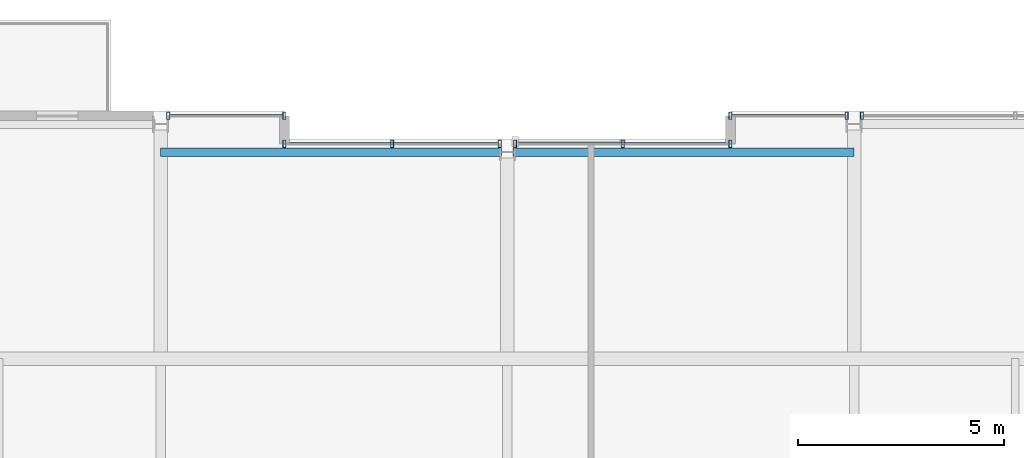
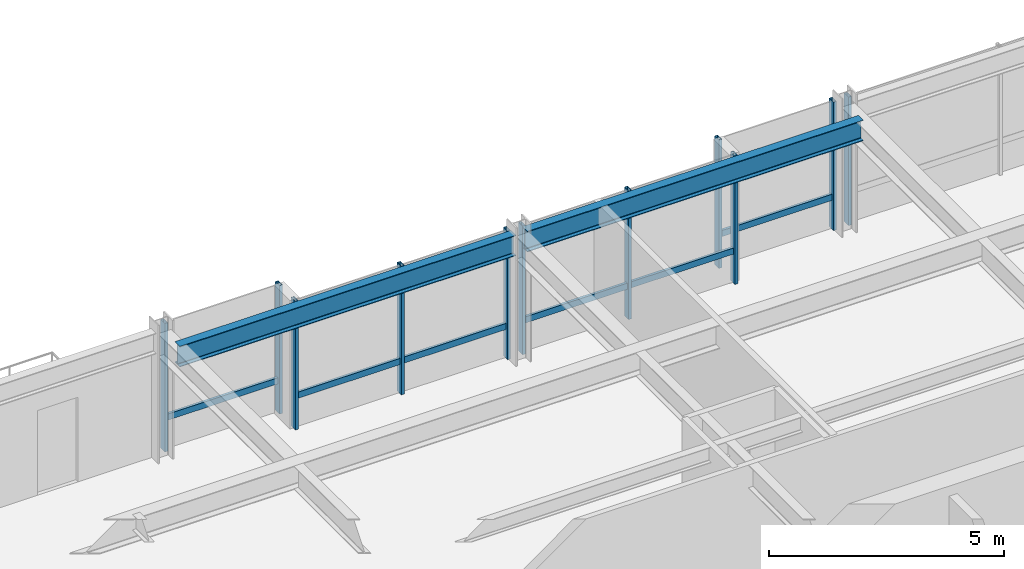
# One storey, part 20 of 31: 15 members, 2 beams, 5 elements without a shape of their own.
"""IFC4 building model written with IfcOpenShell, lengths in metres."""

from ifc_helpers import new_model, si_unit, direction, frame, origin, origin_2d, place, context, subcontext, project, spatial, hollow_rectangle, i_section, extrude, material, layer, layer_set, material_profile, profile_set, type_object, element, aggregate, save


model = new_model("IFC4")

# Units and contexts
model_context = context("Model", 3, precision=1e-05, world=origin(), true_north=direction((0.0, 1.0)))
body_context = subcontext(model_context, "Body", "Model", "MODEL_VIEW")
ifc_project = project(units=[si_unit("LENGTHUNIT", "METRE"), si_unit("AREAUNIT", "SQUARE_METRE"), si_unit("VOLUMEUNIT", "CUBIC_METRE"), si_unit("PLANEANGLEUNIT", "RADIAN"), si_unit("MASSUNIT", "GRAM", prefix="KILO")], contexts=[model_context])

# Site, building, storey
site_placement = place(None, origin())
site = spatial("IfcSite", under=ifc_project, at=site_placement, CompositionType="ELEMENT")
building_placement = place(site_placement, origin())
building = spatial("IfcBuilding", under=site, at=building_placement, Name="Drelvath Grand Hotel", CompositionType="ELEMENT")
storey_placement = place(building_placement, frame((0.0, 0.0, 219.5)))
storey = spatial("IfcBuildingStorey", under=building, at=storey_placement, Name="L57", CompositionType="ELEMENT", Elevation=219.5)

# Curtain wall, member
ifc_material_1 = material(Name="Platinum-Mist Anodised Aluminium Frame", Category="aluminium")
ifc_layer = layer(ifc_material_1, 0.199951171875)
ifc_layer_set = layer_set([ifc_layer], Name="Platinum-Mist Anodised Aluminium Frame")
curtain_wall_type = type_object("IfcCurtainWallType", Name="Stick Curtain Wall CW-05 Platinum Mist High-Rise", PredefinedType="NOTDEFINED", material=ifc_layer_set)
curtain_wall_1_placement = place(storey_placement, origin())
curtain_wall_1 = element("IfcCurtainWall", 1, at=curtain_wall_1_placement, inside=storey, type_object=curtain_wall_type, Name="L57 CW-05 Curtain Wall CW05-L57-NW3", PredefinedType="NOTDEFINED")
ifc_material_profile_1 = material_profile(ifc_material_1, hollow_rectangle(XDim=0.06494140625, YDim=0.159912109375, WallThickness=0.00390625, at=origin_2d()), Name="HSS160X65X4")
ifc_profile_set_1 = profile_set([ifc_material_profile_1], Name="Platinum-Mist Anodised Aluminium Frame")
member_type_1 = type_object("IfcMemberType", Name="Curtain Wall Horizontal Transom CW-05 HSS160X65X4", PredefinedType="USERDEFINED", material=ifc_profile_set_1)
member_1_placement = place(storey_placement, frame((-8.1748046875, 49.080078125, 0.8349609375), z_axis=(1.0, 0.0, 0.0), x_axis=(0.0, 1.0, 0.0)))
member_1 = element("IfcMember", 2, at=member_1_placement, type_object=member_type_1, Name="CW05-L57-NW3 Sill Transom", ObjectType="TRANSOM", PredefinedType="USERDEFINED", context=body_context, shape_type="SweptSolid", body=[
    extrude(hollow_rectangle(XDim=0.06494140625, YDim=0.159912109375, WallThickness=0.00390625, at=origin_2d()), origin(), (0.0, 0.0, 1.0), 2.73486328125),
])

curtain_wall_2_placement = place(storey_placement, origin())
curtain_wall_2 = element("IfcCurtainWall", 3, at=curtain_wall_2_placement, inside=storey, type_object=curtain_wall_type, Name="L57 CW-05 Curtain Wall CW05-L57-NM1", PredefinedType="NOTDEFINED")
member_2_placement = place(storey_placement, frame((-5.360107421875, 48.39990234375, 0.8349609375), z_axis=(1.0, 0.0, 0.0), x_axis=(0.0, 1.0, 0.0)))
member_2 = element("IfcMember", 4, at=member_2_placement, type_object=member_type_1, Name="CW05-L57-NM1 Sill Transom", ObjectType="TRANSOM", PredefinedType="USERDEFINED", context=body_context, shape_type="SweptSolid", body=[
    extrude(hollow_rectangle(XDim=0.06494140625, YDim=0.159912109375, WallThickness=0.00390625, at=origin_2d()), origin(), (0.0, 0.0, 1.0), 5.134765625),
])

curtain_wall_3_placement = place(storey_placement, origin())
curtain_wall_3 = element("IfcCurtainWall", 5, at=curtain_wall_3_placement, inside=storey, type_object=curtain_wall_type, Name="L57 CW-05 Curtain Wall CW05-L57-NM2", PredefinedType="NOTDEFINED")
member_3_placement = place(storey_placement, frame((0.225341796875, 48.39990234375, 0.8349609375), z_axis=(1.0, 0.0, 0.0), x_axis=(0.0, 1.0, 0.0)))
member_3 = element("IfcMember", 6, at=member_3_placement, type_object=member_type_1, Name="CW05-L57-NM2 Sill Transom", ObjectType="TRANSOM", PredefinedType="USERDEFINED", context=body_context, shape_type="SweptSolid", body=[
    extrude(hollow_rectangle(XDim=0.06494140625, YDim=0.159912109375, WallThickness=0.00390625, at=origin_2d()), origin(), (0.0, 0.0, 1.0), 5.134765625),
])

curtain_wall_4_placement = place(storey_placement, origin())
curtain_wall_4 = element("IfcCurtainWall", 7, at=curtain_wall_4_placement, inside=storey, type_object=curtain_wall_type, Name="L57 CW-05 Curtain Wall CW05-L57-NE1", PredefinedType="NOTDEFINED")
member_4_placement = place(storey_placement, frame((5.43994140625, 49.080078125, 0.8349609375), z_axis=(1.0, 0.0, 0.0), x_axis=(0.0, 1.0, 0.0)))
member_4 = element("IfcMember", 8, at=member_4_placement, type_object=member_type_1, Name="CW05-L57-NE1 Sill Transom", ObjectType="TRANSOM", PredefinedType="USERDEFINED", context=body_context, shape_type="SweptSolid", body=[
    extrude(hollow_rectangle(XDim=0.06494140625, YDim=0.159912109375, WallThickness=0.00390625, at=origin_2d()), origin(), (0.0, 0.0, 1.0), 2.73486328125),
])

# Member
ifc_material_profile_2 = material_profile(ifc_material_1, hollow_rectangle(XDim=0.074951171875, YDim=0.179931640625, WallThickness=0.0048828125, at=origin_2d()), Name="HSS180X75X5")
ifc_profile_set_2 = profile_set([ifc_material_profile_2], Name="Platinum-Mist Anodised Aluminium Frame")
member_type_2 = type_object("IfcMemberType", Name="Curtain Wall Vertical Mullion CW-05 HSS180X75X5", PredefinedType="MULLION", material=ifc_profile_set_2)
member_5_placement = place(storey_placement, frame((-8.214599609375, 49.080078125, 0.0), z_axis=(0.0, 0.0, 1.0), x_axis=(1.0, 0.0, 0.0)))
member_5 = element("IfcMember", 9, at=member_5_placement, type_object=member_type_2, Name="CW05-L57-NW3 Mullion 1", PredefinedType="MULLION", context=body_context, shape_type="SweptSolid", body=[
    extrude(hollow_rectangle(XDim=0.074951171875, YDim=0.179931640625, WallThickness=0.0048828125, at=origin_2d()), origin(), (0.0, 0.0, 1.0), 3.340087890625),
])

member_6_placement = place(storey_placement, frame((-5.39990234375, 49.080078125, 0.0), z_axis=(0.0, 0.0, 1.0), x_axis=(1.0, 0.0, 0.0)))
member_6 = element("IfcMember", 10, at=member_6_placement, type_object=member_type_2, Name="CW05-L57-NW3 Mullion 2", PredefinedType="MULLION", context=body_context, shape_type="SweptSolid", body=[
    extrude(hollow_rectangle(XDim=0.074951171875, YDim=0.179931640625, WallThickness=0.0048828125, at=origin_2d()), origin(), (0.0, 0.0, 1.0), 3.340087890625),
])

aggregate(curtain_wall_1, [member_5, member_6, member_1])

member_7_placement = place(storey_placement, frame((-5.39990234375, 48.39990234375, 0.0), z_axis=(0.0, 0.0, 1.0), x_axis=(1.0, 0.0, 0.0)))
member_7 = element("IfcMember", 11, at=member_7_placement, type_object=member_type_2, Name="CW05-L57-NM1 Mullion 1", PredefinedType="MULLION", context=body_context, shape_type="SweptSolid", body=[
    extrude(hollow_rectangle(XDim=0.074951171875, YDim=0.179931640625, WallThickness=0.0048828125, at=origin_2d()), origin(), (0.0, 0.0, 1.0), 3.340087890625),
])

member_8_placement = place(storey_placement, frame((-2.792724609375, 48.39990234375, 0.0), z_axis=(0.0, 0.0, 1.0), x_axis=(1.0, 0.0, 0.0)))
member_8 = element("IfcMember", 12, at=member_8_placement, type_object=member_type_2, Name="CW05-L57-NM1 Mullion 2", PredefinedType="MULLION", context=body_context, shape_type="SweptSolid", body=[
    extrude(hollow_rectangle(XDim=0.074951171875, YDim=0.179931640625, WallThickness=0.0048828125, at=origin_2d()), origin(), (0.0, 0.0, 1.0), 3.340087890625),
])

member_9_placement = place(storey_placement, frame((-0.185302734375, 48.39990234375, 0.0), z_axis=(0.0, 0.0, 1.0), x_axis=(1.0, 0.0, 0.0)))
member_9 = element("IfcMember", 13, at=member_9_placement, type_object=member_type_2, Name="CW05-L57-NM1 Mullion 3", PredefinedType="MULLION", context=body_context, shape_type="SweptSolid", body=[
    extrude(hollow_rectangle(XDim=0.074951171875, YDim=0.179931640625, WallThickness=0.0048828125, at=origin_2d()), origin(), (0.0, 0.0, 1.0), 3.340087890625),
])

aggregate(curtain_wall_2, [member_7, member_8, member_9, member_2])

member_10_placement = place(storey_placement, frame((0.185302734375, 48.39990234375, 0.0), z_axis=(0.0, 0.0, 1.0), x_axis=(1.0, 0.0, 0.0)))
member_10 = element("IfcMember", 14, at=member_10_placement, type_object=member_type_2, Name="CW05-L57-NM2 Mullion 1", PredefinedType="MULLION", context=body_context, shape_type="SweptSolid", body=[
    extrude(hollow_rectangle(XDim=0.074951171875, YDim=0.179931640625, WallThickness=0.0048828125, at=origin_2d()), origin(), (0.0, 0.0, 1.0), 3.340087890625),
])

member_11_placement = place(storey_placement, frame((2.792724609375, 48.39990234375, 0.0), z_axis=(0.0, 0.0, 1.0), x_axis=(1.0, 0.0, 0.0)))
member_11 = element("IfcMember", 15, at=member_11_placement, type_object=member_type_2, Name="CW05-L57-NM2 Mullion 2", PredefinedType="MULLION", context=body_context, shape_type="SweptSolid", body=[
    extrude(hollow_rectangle(XDim=0.074951171875, YDim=0.179931640625, WallThickness=0.0048828125, at=origin_2d()), origin(), (0.0, 0.0, 1.0), 3.340087890625),
])

member_12_placement = place(storey_placement, frame((5.39990234375, 48.39990234375, 0.0), z_axis=(0.0, 0.0, 1.0), x_axis=(1.0, 0.0, 0.0)))
member_12 = element("IfcMember", 16, at=member_12_placement, type_object=member_type_2, Name="CW05-L57-NM2 Mullion 3", PredefinedType="MULLION", context=body_context, shape_type="SweptSolid", body=[
    extrude(hollow_rectangle(XDim=0.074951171875, YDim=0.179931640625, WallThickness=0.0048828125, at=origin_2d()), origin(), (0.0, 0.0, 1.0), 3.340087890625),
])

aggregate(curtain_wall_3, [member_10, member_11, member_12, member_3])

member_13_placement = place(storey_placement, frame((5.39990234375, 49.080078125, 0.0), z_axis=(0.0, 0.0, 1.0), x_axis=(1.0, 0.0, 0.0)))
member_13 = element("IfcMember", 17, at=member_13_placement, type_object=member_type_2, Name="CW05-L57-NE1 Mullion 1", PredefinedType="MULLION", context=body_context, shape_type="SweptSolid", body=[
    extrude(hollow_rectangle(XDim=0.074951171875, YDim=0.179931640625, WallThickness=0.0048828125, at=origin_2d()), origin(), (0.0, 0.0, 1.0), 3.340087890625),
])

member_14_placement = place(storey_placement, frame((8.214599609375, 49.080078125, 0.0), z_axis=(0.0, 0.0, 1.0), x_axis=(1.0, 0.0, 0.0)))
member_14 = element("IfcMember", 18, at=member_14_placement, type_object=member_type_2, Name="CW05-L57-NE1 Mullion 2", PredefinedType="MULLION", context=body_context, shape_type="SweptSolid", body=[
    extrude(hollow_rectangle(XDim=0.074951171875, YDim=0.179931640625, WallThickness=0.0048828125, at=origin_2d()), origin(), (0.0, 0.0, 1.0), 3.340087890625),
])

aggregate(curtain_wall_4, [member_13, member_14, member_4])

# Curtain wall, member
curtain_wall_5_placement = place(storey_placement, origin())
curtain_wall_5 = element("IfcCurtainWall", 19, at=curtain_wall_5_placement, inside=storey, type_object=curtain_wall_type, Name="L57 CW-05 Curtain Wall CW05-L57-NE2", PredefinedType="NOTDEFINED")
member_15_placement = place(storey_placement, frame((8.585205078125, 49.080078125, 0.0), z_axis=(0.0, 0.0, 1.0), x_axis=(1.0, 0.0, 0.0)))
member_15 = element("IfcMember", 20, at=member_15_placement, type_object=member_type_2, Name="CW05-L57-NE2 Mullion 1", PredefinedType="MULLION", context=body_context, shape_type="SweptSolid", body=[
    extrude(hollow_rectangle(XDim=0.074951171875, YDim=0.179931640625, WallThickness=0.0048828125, at=origin_2d()), origin(), (0.0, 0.0, 1.0), 3.340087890625),
])
aggregate(curtain_wall_5, [member_15])

# Beams
ifc_material_2 = material(Name="Steel ASTM A992 Gr 50", Category="steel")
ifc_material_profile_3 = material_profile(ifc_material_2, i_section(OverallWidth=0.210205078125, OverallDepth=0.53662109375, WebThickness=0.010986328125, FlangeThickness=0.017333984375, FilletRadius=0.01806640625, at=origin_2d()), Name="W21X68")
ifc_profile_set_3 = profile_set([ifc_material_profile_3], Name="Steel ASTM A992 Gr 50")
beam_type = type_object("IfcBeamType", Name="Perimeter Spandrel Beam W21X68", PredefinedType="SPANDREL", material=ifc_profile_set_3)
for number, where, z_axis, x_axis, name in (
    (21, (-8.39990234375, 48.199951171875, 3.07177734375), (1.0, 0.0, 0.0), (0.0, 1.0, 0.0), "L57 Spandrel North Mid W"),
    (22, (0.139892578125, 48.199951171875, 3.07177734375), (1.0, 0.0, 0.0), (0.0, 1.0, 0.0), "L57 Spandrel North Mid E"),
):
    element("IfcBeam", number, at=place(storey_placement, frame(where, z_axis=z_axis, x_axis=x_axis)), inside=storey, type_object=beam_type, Name=name, PredefinedType="SPANDREL", context=body_context, shape_type="SweptSolid", body=[
        extrude(i_section(OverallWidth=0.210205078125, OverallDepth=0.53662109375, WebThickness=0.010986328125, FlangeThickness=0.017333984375, FilletRadius=0.01806640625, at=origin_2d()), origin(), (0.0, 0.0, 1.0), 8.260009765625),
    ])

save(model, "model.ifc")
